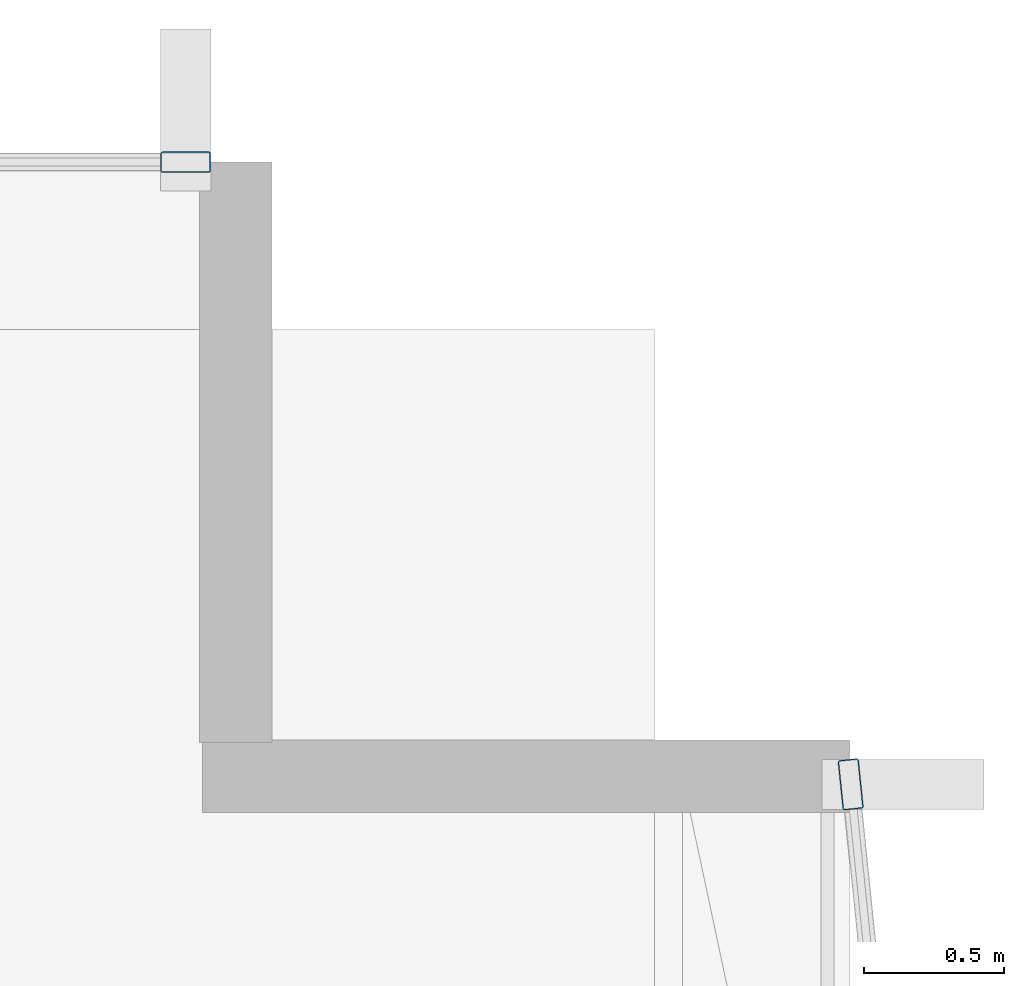
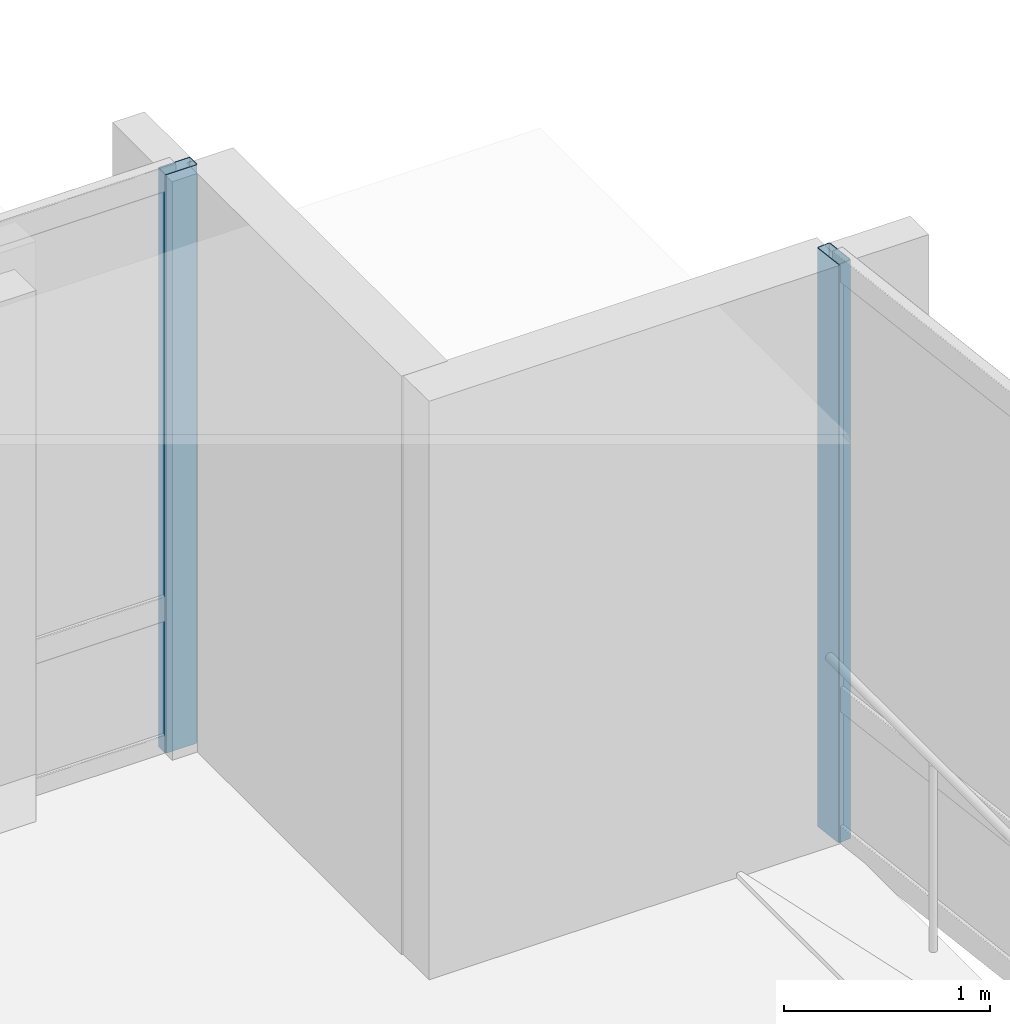
# One storey, part 17 of 34: 2 members, 2 elements without a shape of their own.
"""IFC4 building model written with IfcOpenShell, lengths in metres."""

from ifc_helpers import new_model, si_unit, direction, frame, origin, origin_2d, place, context, subcontext, project, spatial, hollow_rectangle, extrude, material, layer, layer_set, material_profile, profile_set, type_object, element, aggregate, save


model = new_model("IFC4")

# Units and contexts
model_context = context("Model", 3, precision=1e-05, world=origin(), true_north=direction((0.0, 1.0)))
body_context = subcontext(model_context, "Body", "Model", "MODEL_VIEW")
ifc_project = project(units=[si_unit("LENGTHUNIT", "METRE"), si_unit("AREAUNIT", "SQUARE_METRE"), si_unit("VOLUMEUNIT", "CUBIC_METRE"), si_unit("PLANEANGLEUNIT", "RADIAN"), si_unit("MASSUNIT", "GRAM", prefix="KILO")], contexts=[model_context])

# Site, building, storey
site_placement = place(None, origin())
site = spatial("IfcSite", under=ifc_project, at=site_placement, CompositionType="ELEMENT")
building_placement = place(site_placement, origin())
building = spatial("IfcBuilding", under=site, at=building_placement, Name="Solvaryn Broadcast Tower", CompositionType="ELEMENT")
storey_placement = place(building_placement, frame((0.0, 0.0, 58.199951171875)))
storey = spatial("IfcBuildingStorey", under=building, at=storey_placement, Name="L13", CompositionType="ELEMENT", Elevation=58.199951171875)

# Curtain wall, member
ifc_material_1 = material(Name="Aluminium and Terracotta Unitised Curtain Wall", Category="masonry")
ifc_layer = layer(ifc_material_1, 0.199951171875)
ifc_layer_set = layer_set([ifc_layer], Name="CW-SYS2-LOWMID")
curtain_wall_type = type_object("IfcCurtainWallType", Name="CW-SYS2-LOWMID", PredefinedType="NOTDEFINED", material=ifc_layer_set)
curtain_wall_1_placement = place(storey_placement, origin())
curtain_wall_1 = element("IfcCurtainWall", 1, at=curtain_wall_1_placement, inside=storey, type_object=curtain_wall_type, Name="L13 Curtain Wall ET1", PredefinedType="NOTDEFINED")
ifc_material_2 = material(Name="Anodised Aluminium 6063-T6", Category="aluminium")
ifc_material_profile = material_profile(ifc_material_2, hollow_rectangle(XDim=0.074951171875, YDim=0.179931640625, WallThickness=0.00390625, InnerFilletRadius=0.00390625, OuterFilletRadius=0.008056640625, at=origin_2d()))
ifc_profile_set = profile_set([ifc_material_profile], Name="Anodised Aluminium 6063-T6")
member_type = type_object("IfcMemberType", Name="CW-MUL-180", PredefinedType="MULLION", material=ifc_profile_set)
member_1_placement = place(storey_placement, frame((63.003173828125, 24.770263671875, 0.0), z_axis=(0.0, 0.0, 1.0), x_axis=(0.99474329889, 0.10240004548, 0.0)))
member_1 = element("IfcMember", 2, at=member_1_placement, type_object=member_type, Name="CWS2 mullion 1", PredefinedType="MULLION", context=body_context, shape_type="SweptSolid", body=[
    extrude(hollow_rectangle(XDim=0.074951171875, YDim=0.179931640625, WallThickness=0.00390625, InnerFilletRadius=0.00390625, OuterFilletRadius=0.008056640625, at=origin_2d()), origin(), (0.0, 0.0, 1.0), 3.420166015625),
])
aggregate(curtain_wall_1, [member_1])

curtain_wall_2_placement = place(storey_placement, origin())
curtain_wall_2 = element("IfcCurtainWall", 3, at=curtain_wall_2_placement, inside=storey, type_object=curtain_wall_type, Name="L13 Curtain Wall IH", PredefinedType="NOTDEFINED")
member_2_placement = place(storey_placement, frame((60.6201171875, 27.0, 0.0), z_axis=(0.0, 0.0, 1.0), x_axis=(0.0, 1.0, 0.0)))
member_2 = element("IfcMember", 4, at=member_2_placement, type_object=member_type, Name="CWS2 mullion 2", PredefinedType="MULLION", context=body_context, shape_type="SweptSolid", body=[
    extrude(hollow_rectangle(XDim=0.074951171875, YDim=0.179931640625, WallThickness=0.00390625, InnerFilletRadius=0.00390625, OuterFilletRadius=0.008056640625, at=origin_2d()), origin(), (0.0, 0.0, 1.0), 3.420166015625),
])
aggregate(curtain_wall_2, [member_2])

save(model, "model.ifc")
